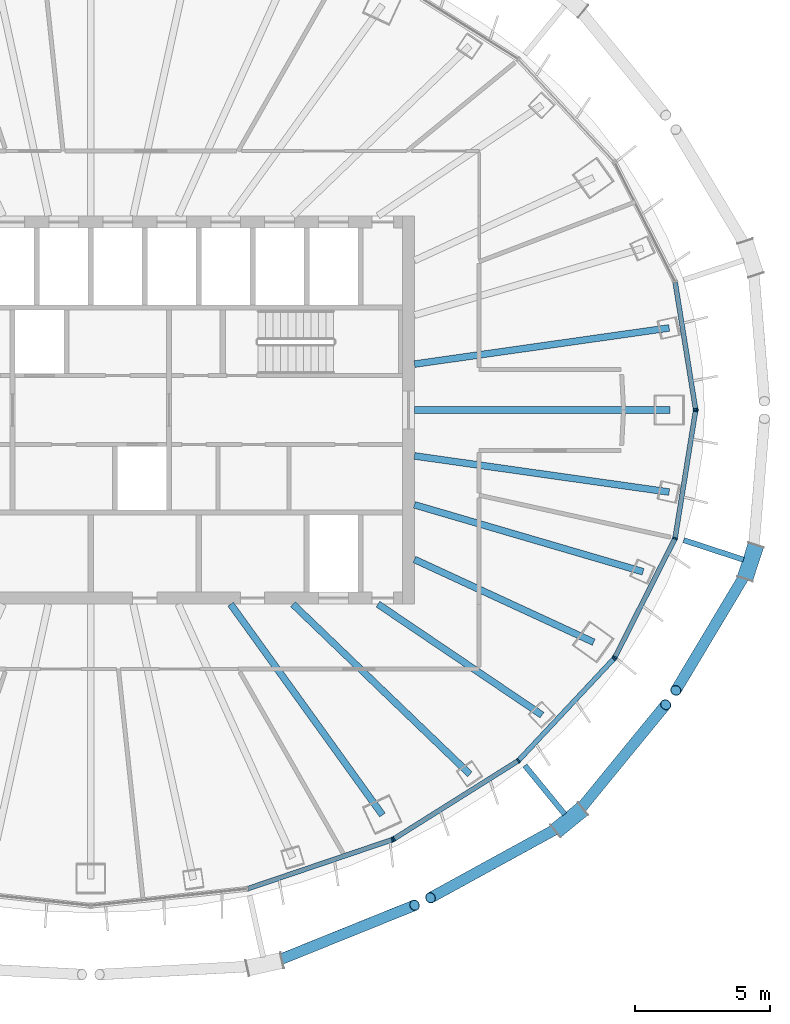
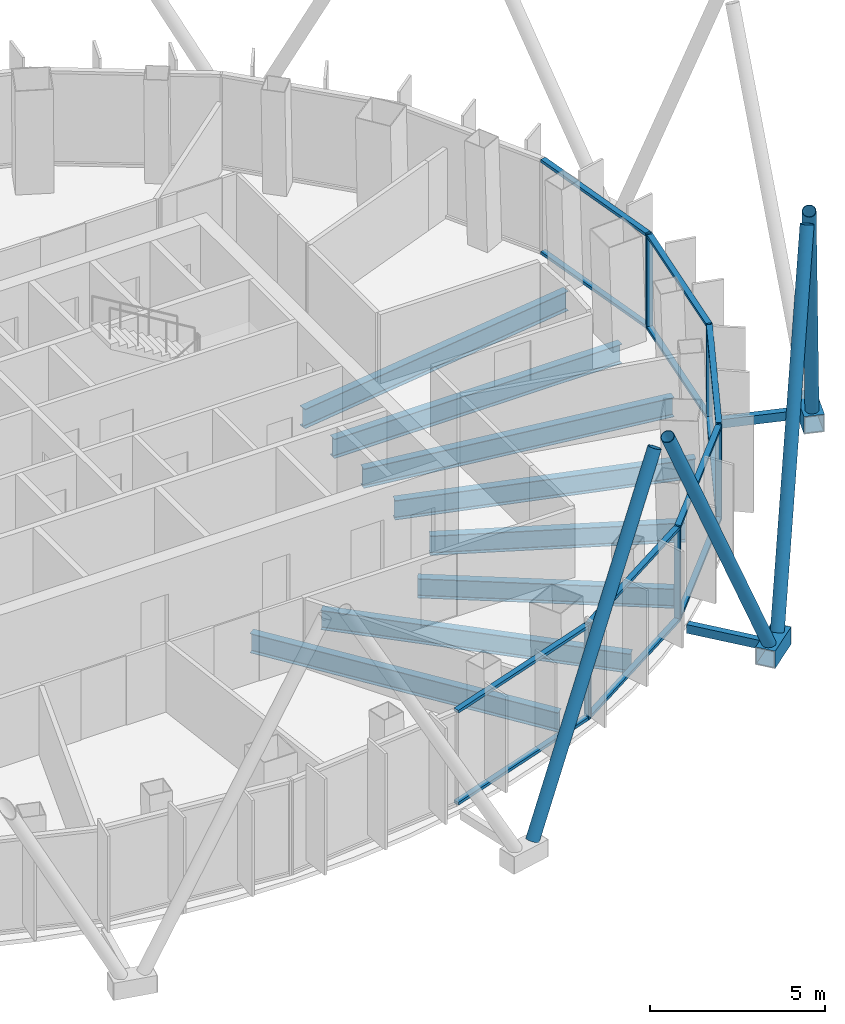
# One storey, part 4 of 18: 28 members, 8 beams, 4 elements without a shape of their own.
"""IFC4 building model written with IfcOpenShell, lengths in metres."""

from ifc_helpers import new_model, si_unit, direction, frame, origin, origin_2d, place, context, subcontext, project, spatial, rectangle, hollow_rectangle, hollow_circle, i_section, extrude, material, layer, layer_set, material_profile, profile_set, type_object, element, aggregate, save


model = new_model("IFC4")

# Units and contexts
model_context = context("Model", 3, precision=1e-05, world=origin(), true_north=direction((0.0, 1.0)))
body_context = subcontext(model_context, "Body", "Model", "MODEL_VIEW")
ifc_project = project(units=[si_unit("LENGTHUNIT", "METRE"), si_unit("AREAUNIT", "SQUARE_METRE"), si_unit("VOLUMEUNIT", "CUBIC_METRE"), si_unit("PLANEANGLEUNIT", "RADIAN"), si_unit("MASSUNIT", "GRAM", prefix="KILO")], contexts=[model_context])

# Site, building, storey
site_placement = place(None, origin())
site = spatial("IfcSite", under=ifc_project, at=site_placement, CompositionType="ELEMENT")
building_placement = place(site_placement, origin())
building = spatial("IfcBuilding", under=site, at=building_placement, Name="Siaravel Broadcast Tower", CompositionType="ELEMENT")
storey_placement = place(building_placement, frame((0.0, 0.0, 201.5)))
storey = spatial("IfcBuildingStorey", under=building, at=storey_placement, Name="L49", CompositionType="ELEMENT", Elevation=201.5)

# Beams
ifc_material_1 = material(Name="Steel S355", Category="steel")
ifc_material_profile_1 = material_profile(ifc_material_1, i_section(OverallWidth=0.2529296875, OverallDepth=0.677978515625, WebThickness=0.01171875, FlangeThickness=0.01611328125, FilletRadius=0.01513671875, at=origin_2d()))
ifc_profile_set_1 = profile_set([ifc_material_profile_1], Name="Steel S355")
beam_type = type_object("IfcBeamType", Name="BM-UB 686x254x125", PredefinedType="BEAM", material=ifc_profile_set_1)
beam_1_placement = place(storey_placement, frame((21.46826171875, 0.0, -0.489013671875), z_axis=(-1.0, 0.0, 0.0), x_axis=(0.0, -1.0, 0.0)))
element("IfcBeam", 1, at=beam_1_placement, inside=storey, type_object=beam_type, Name="Radial beam RB01", PredefinedType="BEAM", context=body_context, shape_type="SweptSolid", body=[
    extrude(i_section(OverallWidth=0.2529296875, OverallDepth=0.677978515625, WebThickness=0.01171875, FlangeThickness=0.01611328125, FilletRadius=0.01513671875, at=origin_2d()), origin(), (0.0, 0.0, 1.0), 9.46826171875),
])
beam_2_placement = place(storey_placement, frame((21.443359375, 3.041748046875, -0.489013671875), z_axis=(-0.990087752, -0.140450142, 0.0), x_axis=(0.140450142, -0.990087752, 0.0)))
element("IfcBeam", 2, at=beam_2_placement, inside=storey, type_object=beam_type, Name="Radial beam RB02", PredefinedType="BEAM", context=body_context, shape_type="SweptSolid", body=[
    extrude(i_section(OverallWidth=0.2529296875, OverallDepth=0.677978515625, WebThickness=0.01171875, FlangeThickness=0.01611328125, FilletRadius=0.01513671875, at=origin_2d()), origin(), (0.0, 0.0, 1.0), 9.537841796875),
])
beam_3_placement = place(storey_placement, frame((10.813720703125, -15.014892578125, -0.489013671875), z_axis=(-0.584401555, 0.811464616, 0.0), x_axis=(-0.811464616, -0.584401555, 0.0)))
element("IfcBeam", 3, at=beam_3_placement, inside=storey, type_object=beam_type, Name="Radial beam RB31", PredefinedType="BEAM", context=body_context, shape_type="SweptSolid", body=[
    extrude(i_section(OverallWidth=0.2529296875, OverallDepth=0.677978515625, WebThickness=0.01171875, FlangeThickness=0.01611328125, FilletRadius=0.01513671875, at=origin_2d()), origin(), (0.0, 0.0, 1.0), 9.630615234375),
])
beam_4_placement = place(storey_placement, frame((14.053466796875, -13.501708984375, -0.489013671875), z_axis=(-0.721123378, 0.692806664, 0.0), x_axis=(-0.692806664, -0.721123378, 0.0)))
element("IfcBeam", 4, at=beam_4_placement, inside=storey, type_object=beam_type, Name="Radial beam RB32", PredefinedType="BEAM", context=body_context, shape_type="SweptSolid", body=[
    extrude(i_section(OverallWidth=0.2529296875, OverallDepth=0.677978515625, WebThickness=0.01171875, FlangeThickness=0.01611328125, FilletRadius=0.01513671875, at=origin_2d()), origin(), (0.0, 0.0, 1.0), 9.095947265625),
])
beam_5_placement = place(storey_placement, frame((16.7294921875, -11.31005859375, -0.489013671875), z_axis=(-0.82844504, 0.560070366, 0.0), x_axis=(-0.560070366, -0.82844504, 0.0)))
element("IfcBeam", 5, at=beam_5_placement, inside=storey, type_object=beam_type, Name="Radial beam RB33", PredefinedType="BEAM", context=body_context, shape_type="SweptSolid", body=[
    extrude(i_section(OverallWidth=0.2529296875, OverallDepth=0.677978515625, WebThickness=0.01171875, FlangeThickness=0.01611328125, FilletRadius=0.01513671875, at=origin_2d()), origin(), (0.0, 0.0, 1.0), 7.338623046875),
])
beam_6_placement = place(storey_placement, frame((18.6455078125, -8.609130859375, -0.489013671875), z_axis=(-0.907896897, 0.419193541, 0.0), x_axis=(-0.419193541, -0.907896897, 0.0)))
element("IfcBeam", 6, at=beam_6_placement, inside=storey, type_object=beam_type, Name="Radial beam RB34", PredefinedType="BEAM", context=body_context, shape_type="SweptSolid", body=[
    extrude(i_section(OverallWidth=0.2529296875, OverallDepth=0.677978515625, WebThickness=0.01171875, FlangeThickness=0.01611328125, FilletRadius=0.01513671875, at=origin_2d()), origin(), (0.0, 0.0, 1.0), 7.319580078125),
])
beam_7_placement = place(storey_placement, frame((20.47607421875, -5.997802734375, -0.489013671875), z_axis=(-0.95967304, 0.281118579, 0.0), x_axis=(-0.281118579, -0.95967304, 0.0)))
element("IfcBeam", 7, at=beam_7_placement, inside=storey, type_object=beam_type, Name="Radial beam RB35", PredefinedType="BEAM", context=body_context, shape_type="SweptSolid", body=[
    extrude(i_section(OverallWidth=0.2529296875, OverallDepth=0.677978515625, WebThickness=0.01171875, FlangeThickness=0.01611328125, FilletRadius=0.01513671875, at=origin_2d()), origin(), (0.0, 0.0, 1.0), 8.832275390625),
])
beam_8_placement = place(storey_placement, frame((21.443359375, -3.041748046875, -0.489013671875), z_axis=(-0.990087752, 0.140450142, 0.0), x_axis=(-0.140450142, -0.990087752, 0.0)))
element("IfcBeam", 8, at=beam_8_placement, inside=storey, type_object=beam_type, Name="Radial beam RB36", PredefinedType="BEAM", context=body_context, shape_type="SweptSolid", body=[
    extrude(i_section(OverallWidth=0.2529296875, OverallDepth=0.677978515625, WebThickness=0.01171875, FlangeThickness=0.01611328125, FilletRadius=0.01513671875, at=origin_2d()), origin(), (0.0, 0.0, 1.0), 9.537841796875),
])

# Curtain wall, member
ifc_material_2 = material(Name="Aluminium 6063-T6", Category="aluminium")
ifc_layer = layer(ifc_material_2, 0.179931640625)
ifc_layer_set = layer_set([ifc_layer], Name="Aluminium 6063-T6")
curtain_wall_type = type_object("IfcCurtainWallType", Name="Unitised curtain wall, zone 3", PredefinedType="NOTDEFINED", material=ifc_layer_set)
curtain_wall_1_placement = place(storey_placement, origin())
curtain_wall_1 = element("IfcCurtainWall", 9, at=curtain_wall_1_placement, inside=storey, type_object=curtain_wall_type, Name="L49 Unitised curtain wall, zone 3 01", PredefinedType="NOTDEFINED")
ifc_material_profile_2 = material_profile(ifc_material_2, rectangle(XDim=0.179931640625, YDim=0.06005859375, at=origin_2d()))
ifc_profile_set_2 = profile_set([ifc_material_profile_2], Name="Aluminium 6063-T6")
member_type_1 = type_object("IfcMemberType", Name="CW-Z3 mullion", PredefinedType="MULLION", material=ifc_profile_set_2)
member_1_placement = place(storey_placement, frame((22.42138671875, 0.029541015625, 0.0), z_axis=(0.0, 0.0, 1.0), x_axis=(-0.987329337, -0.158684528, 0.0)))
member_1 = element("IfcMember", 10, at=member_1_placement, type_object=member_type_1, Name="CW-Z3 mullion 1", PredefinedType="MULLION", context=body_context, shape_type="SweptSolid", body=[
    extrude(rectangle(XDim=0.179931640625, YDim=0.06005859375, at=origin_2d()), origin(), (0.0, 0.0, 1.0), 3.300048828125),
])

curtain_wall_2_placement = place(storey_placement, origin())
curtain_wall_2 = element("IfcCurtainWall", 11, at=curtain_wall_2_placement, inside=storey, type_object=curtain_wall_type, Name="L49 Unitised curtain wall, zone 3 10", PredefinedType="NOTDEFINED")
member_2_placement = place(storey_placement, frame((11.180908203125, -15.927978515625, 0.0), z_axis=(0.0, 0.0, 1.0), x_axis=(-0.321302122, 0.94697674, 0.0)))
member_2 = element("IfcMember", 12, at=member_2_placement, type_object=member_type_1, Name="CW-Z3 mullion 3", PredefinedType="MULLION", context=body_context, shape_type="SweptSolid", body=[
    extrude(rectangle(XDim=0.179931640625, YDim=0.06005859375, at=origin_2d()), origin(), (0.0, 0.0, 1.0), 3.300048828125),
])

# Curtain wall, members
curtain_wall_3_placement = place(storey_placement, origin())
curtain_wall_3 = element("IfcCurtainWall", 13, at=curtain_wall_3_placement, inside=storey, type_object=curtain_wall_type, Name="L49 Unitised curtain wall, zone 3 11", PredefinedType="NOTDEFINED")
member_3_placement = place(storey_placement, frame((11.23486328125, -15.90234375, 0.0), z_axis=(0.0, 0.0, 1.0), x_axis=(-0.532151271, 0.846649293, 0.0)))
member_3 = element("IfcMember", 14, at=member_3_placement, type_object=member_type_1, Name="CW-Z3 mullion 1", PredefinedType="MULLION", context=body_context, shape_type="SweptSolid", body=[
    extrude(rectangle(XDim=0.179931640625, YDim=0.06005859375, at=origin_2d()), origin(), (0.0, 0.0, 1.0), 3.300048828125),
])
member_4_placement = place(storey_placement, frame((15.85400390625, -12.9990234375, 0.0), z_axis=(0.0, 0.0, 1.0), x_axis=(-0.636220651, 0.77150715, 0.0)))
member_4 = element("IfcMember", 15, at=member_4_placement, type_object=member_type_1, Name="CW-Z3 mullion 2", PredefinedType="MULLION", context=body_context, shape_type="SweptSolid", body=[
    extrude(rectangle(XDim=0.179931640625, YDim=0.06005859375, at=origin_2d()), origin(), (0.0, 0.0, 1.0), 3.300048828125),
])
member_5_placement = place(storey_placement, frame((19.398681640625, -9.215087890625, 0.0), z_axis=(0.0, 0.0, 1.0), x_axis=(-0.729807165, 0.683653057, 0.0)))
member_5 = element("IfcMember", 16, at=member_5_placement, type_object=member_type_1, Name="CW-Z3 mullion 3", PredefinedType="MULLION", context=body_context, shape_type="SweptSolid", body=[
    extrude(rectangle(XDim=0.179931640625, YDim=0.06005859375, at=origin_2d()), origin(), (0.0, 0.0, 1.0), 3.300048828125),
])

curtain_wall_4_placement = place(storey_placement, origin())
curtain_wall_4 = element("IfcCurtainWall", 17, at=curtain_wall_4_placement, inside=storey, type_object=curtain_wall_type, Name="L49 Unitised curtain wall, zone 3 12", PredefinedType="NOTDEFINED")
member_6_placement = place(storey_placement, frame((19.4326171875, -9.166259765625, 0.0), z_axis=(0.0, 0.0, 1.0), x_axis=(-0.892393176, 0.451258705, 0.0)))
member_6 = element("IfcMember", 18, at=member_6_placement, type_object=member_type_1, Name="CW-Z3 mullion 1", PredefinedType="MULLION", context=body_context, shape_type="SweptSolid", body=[
    extrude(rectangle(XDim=0.179931640625, YDim=0.06005859375, at=origin_2d()), origin(), (0.0, 0.0, 1.0), 3.300048828125),
])
member_7_placement = place(storey_placement, frame((21.6611328125, -4.75927734375, 0.0), z_axis=(0.0, 0.0, 1.0), x_axis=(-0.951177741, 0.308643655, 0.0)))
member_7 = element("IfcMember", 19, at=member_7_placement, type_object=member_type_1, Name="CW-Z3 mullion 2", PredefinedType="MULLION", context=body_context, shape_type="SweptSolid", body=[
    extrude(rectangle(XDim=0.179931640625, YDim=0.06005859375, at=origin_2d()), origin(), (0.0, 0.0, 1.0), 3.300048828125),
])
member_8_placement = place(storey_placement, frame((22.42138671875, -0.029541015625, 0.0), z_axis=(0.0, 0.0, 1.0), x_axis=(-0.987329337, 0.158684528, 0.0)))
member_8 = element("IfcMember", 20, at=member_8_placement, type_object=member_type_1, Name="CW-Z3 mullion 3", PredefinedType="MULLION", context=body_context, shape_type="SweptSolid", body=[
    extrude(rectangle(XDim=0.179931640625, YDim=0.06005859375, at=origin_2d()), origin(), (0.0, 0.0, 1.0), 3.300048828125),
])

# Member
ifc_material_profile_3 = material_profile(ifc_material_2, rectangle(XDim=0.179931640625, YDim=0.10009765625, at=origin_2d()))
ifc_profile_set_3 = profile_set([ifc_material_profile_3], Name="Aluminium 6063-T6")
member_type_2 = type_object("IfcMemberType", Name="CW-Z3 transom", PredefinedType="USERDEFINED", material=ifc_profile_set_3)
member_9_placement = place(storey_placement, frame((22.41650390625, 0.05908203125, 0.050048828125), z_axis=(-0.158646652, 0.987335424, 0.0), x_axis=(-0.987335424, -0.158646652, 0.0)))
member_9 = element("IfcMember", 21, at=member_9_placement, type_object=member_type_2, Name="CW-Z3 transom 1", ObjectType="TRANSOM", PredefinedType="USERDEFINED", context=body_context, shape_type="SweptSolid", body=[
    extrude(rectangle(XDim=0.179931640625, YDim=0.10009765625, at=origin_2d()), origin(), (0.0, 0.0, 1.0), 4.73046875),
])

member_10_placement = place(storey_placement, frame((22.41650390625, 0.05908203125, 3.25), z_axis=(-0.158646652, 0.987335424, 0.0), x_axis=(-0.987335424, -0.158646652, 0.0)))
member_10 = element("IfcMember", 22, at=member_10_placement, type_object=member_type_2, Name="CW-Z3 transom 1", ObjectType="TRANSOM", PredefinedType="USERDEFINED", context=body_context, shape_type="SweptSolid", body=[
    extrude(rectangle(XDim=0.179931640625, YDim=0.10009765625, at=origin_2d()), origin(), (0.0, 0.0, 1.0), 4.73046875),
])

aggregate(curtain_wall_1, [member_1, member_9, member_10])

member_11_placement = place(storey_placement, frame((5.83056640625, -17.743408203125, 0.050048828125), z_axis=(0.946966662, 0.321331823, 0.0), x_axis=(-0.321331823, 0.946966662, 0.0)))
member_11 = element("IfcMember", 23, at=member_11_placement, type_object=member_type_2, Name="CW-Z3 transom 2", ObjectType="TRANSOM", PredefinedType="USERDEFINED", context=body_context, shape_type="SweptSolid", body=[
    extrude(rectangle(XDim=0.179931640625, YDim=0.10009765625, at=origin_2d()), origin(), (0.0, 0.0, 1.0), 5.6201171875),
])

member_12_placement = place(storey_placement, frame((5.83056640625, -17.743408203125, 3.25), z_axis=(0.946966662, 0.321331823, 0.0), x_axis=(-0.321331823, 0.946966662, 0.0)))
member_12 = element("IfcMember", 24, at=member_12_placement, type_object=member_type_2, Name="CW-Z3 transom 2", ObjectType="TRANSOM", PredefinedType="USERDEFINED", context=body_context, shape_type="SweptSolid", body=[
    extrude(rectangle(XDim=0.179931640625, YDim=0.10009765625, at=origin_2d()), origin(), (0.0, 0.0, 1.0), 5.6201171875),
])

aggregate(curtain_wall_2, [member_2, member_11, member_12])

member_13_placement = place(storey_placement, frame((11.26025390625, -15.88623046875, 0.050048828125), z_axis=(0.84665344, 0.532144672, 0.0), x_axis=(-0.532144672, 0.84665344, 0.0)))
member_13 = element("IfcMember", 25, at=member_13_placement, type_object=member_type_2, Name="CW-Z3 transom 1", ObjectType="TRANSOM", PredefinedType="USERDEFINED", context=body_context, shape_type="SweptSolid", body=[
    extrude(rectangle(XDim=0.179931640625, YDim=0.10009765625, at=origin_2d()), origin(), (0.0, 0.0, 1.0), 5.395751953125),
])

member_14_placement = place(storey_placement, frame((11.26025390625, -15.88623046875, 3.25), z_axis=(0.84665344, 0.532144672, 0.0), x_axis=(-0.532144672, 0.84665344, 0.0)))
member_14 = element("IfcMember", 26, at=member_14_placement, type_object=member_type_2, Name="CW-Z3 transom 1", ObjectType="TRANSOM", PredefinedType="USERDEFINED", context=body_context, shape_type="SweptSolid", body=[
    extrude(rectangle(XDim=0.179931640625, YDim=0.10009765625, at=origin_2d()), origin(), (0.0, 0.0, 1.0), 5.395751953125),
])

member_15_placement = place(storey_placement, frame((15.87451171875, -12.97705078125, 0.050048828125), z_axis=(0.683649503, 0.729810494, 0.0), x_axis=(-0.729810494, 0.683649503, 0.0)))
member_15 = element("IfcMember", 27, at=member_15_placement, type_object=member_type_2, Name="CW-Z3 transom 2", ObjectType="TRANSOM", PredefinedType="USERDEFINED", context=body_context, shape_type="SweptSolid", body=[
    extrude(rectangle(XDim=0.179931640625, YDim=0.10009765625, at=origin_2d()), origin(), (0.0, 0.0, 1.0), 5.125),
])

member_16_placement = place(storey_placement, frame((15.87451171875, -12.97705078125, 3.25), z_axis=(0.683649503, 0.729810494, 0.0), x_axis=(-0.729810494, 0.683649503, 0.0)))
member_16 = element("IfcMember", 28, at=member_16_placement, type_object=member_type_2, Name="CW-Z3 transom 2", ObjectType="TRANSOM", PredefinedType="USERDEFINED", context=body_context, shape_type="SweptSolid", body=[
    extrude(rectangle(XDim=0.179931640625, YDim=0.10009765625, at=origin_2d()), origin(), (0.0, 0.0, 1.0), 5.125),
])

aggregate(curtain_wall_3, [member_3, member_4, member_5, member_13, member_14, member_15, member_16])

member_17_placement = place(storey_placement, frame((19.4462890625, -9.1396484375, 0.050048828125), z_axis=(0.451252633, 0.892396247, 0.0), x_axis=(-0.892396247, 0.451252633, 0.0)))
member_17 = element("IfcMember", 29, at=member_17_placement, type_object=member_type_2, Name="CW-Z3 transom 1", ObjectType="TRANSOM", PredefinedType="USERDEFINED", context=body_context, shape_type="SweptSolid", body=[
    extrude(rectangle(XDim=0.179931640625, YDim=0.10009765625, at=origin_2d()), origin(), (0.0, 0.0, 1.0), 4.87841796875),
])

member_18_placement = place(storey_placement, frame((19.4462890625, -9.1396484375, 3.25), z_axis=(0.451252633, 0.892396247, 0.0), x_axis=(-0.892396247, 0.451252633, 0.0)))
member_18 = element("IfcMember", 30, at=member_18_placement, type_object=member_type_2, Name="CW-Z3 transom 1", ObjectType="TRANSOM", PredefinedType="USERDEFINED", context=body_context, shape_type="SweptSolid", body=[
    extrude(rectangle(XDim=0.179931640625, YDim=0.10009765625, at=origin_2d()), origin(), (0.0, 0.0, 1.0), 4.87841796875),
])

member_19_placement = place(storey_placement, frame((21.666015625, -4.729736328125, 0.050048828125), z_axis=(0.158646652, 0.987335424, 0.0), x_axis=(-0.987335424, 0.158646652, 0.0)))
member_19 = element("IfcMember", 31, at=member_19_placement, type_object=member_type_2, Name="CW-Z3 transom 2", ObjectType="TRANSOM", PredefinedType="USERDEFINED", context=body_context, shape_type="SweptSolid", body=[
    extrude(rectangle(XDim=0.179931640625, YDim=0.10009765625, at=origin_2d()), origin(), (0.0, 0.0, 1.0), 4.73046875),
])

member_20_placement = place(storey_placement, frame((21.666015625, -4.729736328125, 3.25), z_axis=(0.158646652, 0.987335424, 0.0), x_axis=(-0.987335424, 0.158646652, 0.0)))
member_20 = element("IfcMember", 32, at=member_20_placement, type_object=member_type_2, Name="CW-Z3 transom 2", ObjectType="TRANSOM", PredefinedType="USERDEFINED", context=body_context, shape_type="SweptSolid", body=[
    extrude(rectangle(XDim=0.179931640625, YDim=0.10009765625, at=origin_2d()), origin(), (0.0, 0.0, 1.0), 4.73046875),
])

aggregate(curtain_wall_4, [member_6, member_7, member_8, member_17, member_18, member_19, member_20])

# Members
ifc_material_3 = material(Name="Steel S460", Category="steel")
ifc_material_profile_4 = material_profile(ifc_material_3, hollow_circle(Radius=0.203125, WallThickness=0.01611328125, at=origin_2d()))
ifc_profile_set_4 = profile_set([ifc_material_profile_4], Name="Steel S460")
member_type_3 = type_object("IfcMemberType", Name="Diagrid diagonal CHS 406.4x16", PredefinedType="BRACE", material=ifc_profile_set_4)
member_21_placement = place(storey_placement, frame((6.76416015625, -20.47802734375, 0.070068359375), z_axis=(0.437706738, 0.176672503, 0.881589268), x_axis=(-0.374292406, 0.927310732, 0.0)))
element("IfcMember", 33, at=member_21_placement, inside=storey, type_object=member_type_3, Name="Diagrid diagonal R20 station 57A", PredefinedType="BRACE", context=body_context, shape_type="SweptSolid", body=[
    extrude(hollow_circle(Radius=0.203125, WallThickness=0.01611328125, at=origin_2d()), origin(), (0.0, 0.0, 1.0), 11.978271484375),
])
member_22_placement = place(storey_placement, frame((17.4912109375, -15.399169921875, 0.070068359375), z_axis=(-0.410081758, -0.224832785, 0.883902241), x_axis=(0.480749166, -0.876858164, 0.0)))
element("IfcMember", 34, at=member_22_placement, inside=storey, type_object=member_type_3, Name="Diagrid diagonal R20 station 63C", PredefinedType="BRACE", context=body_context, shape_type="SweptSolid", body=[
    extrude(hollow_circle(Radius=0.203125, WallThickness=0.01611328125, at=origin_2d()), origin(), (0.0, 0.0, 1.0), 11.94677734375),
])
member_23_placement = place(storey_placement, frame((17.99169921875, -14.989013671875, 0.070068359375), z_axis=(0.281967877, 0.344489388, 0.895444682), x_axis=(-0.773832966, 0.633389723, 0.0)))
element("IfcMember", 35, at=member_23_placement, inside=storey, type_object=member_type_3, Name="Diagrid diagonal R20 station 63A", PredefinedType="BRACE", context=body_context, shape_type="SweptSolid", body=[
    extrude(hollow_circle(Radius=0.203125, WallThickness=0.01611328125, at=origin_2d()), origin(), (0.0, 0.0, 1.0), 11.792724609375),
])
member_24_placement = place(storey_placement, frame((24.355224609375, -5.941162109375, 0.070068359375), z_axis=(-0.226514852, -0.378714243, 0.897366449), x_axis=(0.858205618, -0.513306066, 0.0)))
element("IfcMember", 36, at=member_24_placement, inside=storey, type_object=member_type_3, Name="Diagrid diagonal R20 station 69C", PredefinedType="BRACE", context=body_context, shape_type="SweptSolid", body=[
    extrude(hollow_circle(Radius=0.203125, WallThickness=0.01611328125, at=origin_2d()), origin(), (0.0, 0.0, 1.0), 11.767578125),
])
ifc_material_profile_5 = material_profile(ifc_material_3, hollow_rectangle(XDim=0.60009765625, YDim=0.60009765625, WallThickness=0.031982421875, at=origin_2d()))
ifc_profile_set_5 = profile_set([ifc_material_profile_5], Name="Steel S460")
member_type_4 = type_object("IfcMemberType", Name="Diagrid node BOX 600x600x32", PredefinedType="USERDEFINED", material=ifc_profile_set_5)
for number, where, z_axis, x_axis, name in (
    (37, (17.2412109375, -15.60400390625, -0.199951171875), (0.773486151, 0.633813201, 0.0), (-0.633813201, 0.773486151, 0.0), "Diagrid node R20 station 63"),
    (38, (24.2548828125, -6.248291015625, -0.199951171875), (0.310843783, 0.950461016, 0.0), (-0.950461016, 0.310843783, 0.0), "Diagrid node R20 station 69"),
):
    element("IfcMember", number, at=place(storey_placement, frame(where, z_axis=z_axis, x_axis=x_axis)), inside=storey, type_object=member_type_4, Name=name, ObjectType="DIAGRID NODE", PredefinedType="USERDEFINED", context=body_context, shape_type="SweptSolid", body=[
        extrude(hollow_rectangle(XDim=0.60009765625, YDim=0.60009765625, WallThickness=0.031982421875, at=origin_2d()), origin(), (0.0, 0.0, 1.0), 1.29345703125),
    ])
ifc_material_profile_6 = material_profile(ifc_material_3, hollow_rectangle(XDim=0.199951171875, YDim=0.300048828125, WallThickness=0.012451171875, at=origin_2d()))
ifc_profile_set_6 = profile_set([ifc_material_profile_6], Name="Steel S460")
member_type_5 = type_object("IfcMemberType", Name="Diagrid node arm RHS 300x200x12.5", PredefinedType="STRUT", material=ifc_profile_set_6)
for number, where, z_axis, x_axis, name in (
    (39, (16.093994140625, -13.1826171875, -0.199951171875), (0.633637135, -0.77363039, 0.0), (0.77363039, 0.633637135, 0.0), "Node arm R20 station 63"),
    (40, (21.98486328125, -4.8251953125, -0.199951171875), (0.950439361, -0.310909987, 0.0), (0.310909987, 0.950439361, 0.0), "Node arm R20 station 69"),
):
    element("IfcMember", number, at=place(storey_placement, frame(where, z_axis=z_axis, x_axis=x_axis)), inside=storey, type_object=member_type_5, Name=name, PredefinedType="STRUT", context=body_context, shape_type="SweptSolid", body=[
        extrude(hollow_rectangle(XDim=0.199951171875, YDim=0.300048828125, WallThickness=0.012451171875, at=origin_2d()), origin(), (0.0, 0.0, 1.0), 2.329833984375),
    ])

save(model, "model.ifc")
